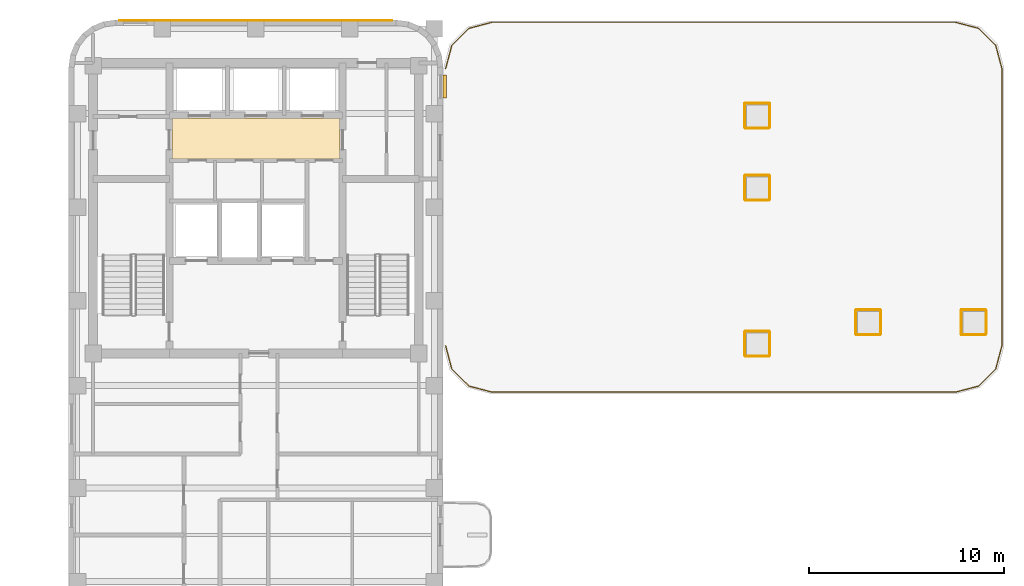
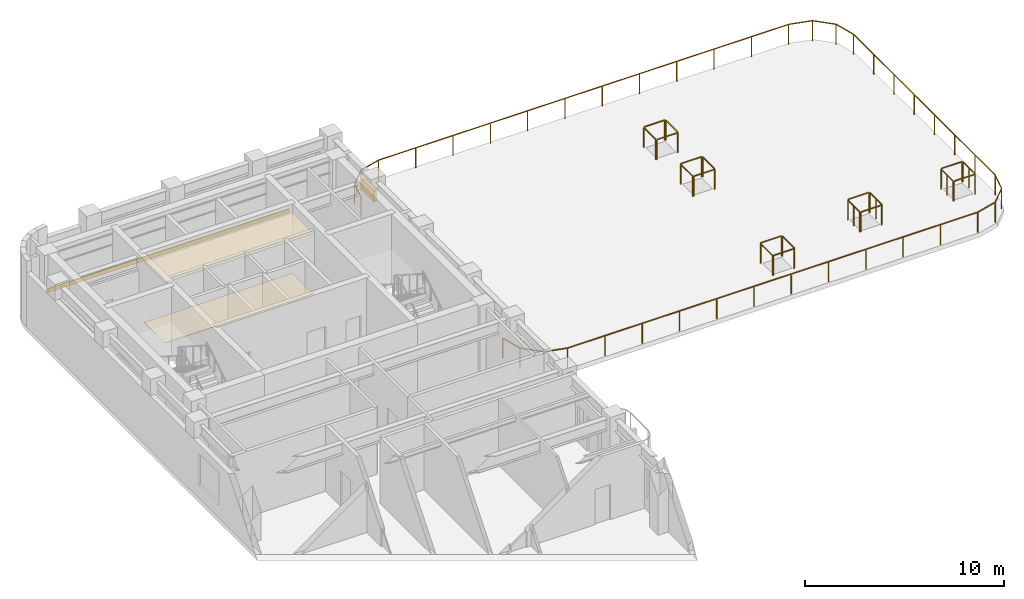
# One storey, part 7 of 7: 21 railings, 3 coverings, 1 shading device.
"""IFC4 building model written with IfcOpenShell, lengths in metres."""

import ifcopenshell
import ifcopenshell.guid

model = None  # the IFC model being written
_history = None  # IfcOwnerHistory: only IFC2X3 demands one
_inside = {}  # id of a spatial element -> (the spatial element, [elements in it])
_under = {}  # id of a project, library or spatial element -> (it, [spatial elements below it])
_declared = {}  # id of a project -> (the project, [libraries it declares])
_typed = {}  # id of a type object -> (the type object, [elements of that type])
_made_of = {}  # id of a material, layer set ... -> (it, [elements and type objects made of it])


def new_model(schema):
    """Start an empty IFC model of exactly this schema.

    Asked for "IFC4X3", IfcOpenShell would pick the latest addendum, in which some entities
    have other attributes; the version numbers below select the first issue.
    IFC2X3 requires an IfcOwnerHistory on every rooted entity: one is made here for all.
    """
    global model, _history
    if schema == "IFC4X3":
        model = ifcopenshell.file(schema_version=(4, 3, 0, 0))
    else:
        model = ifcopenshell.file(schema=schema)
    _inside.clear()
    _under.clear()
    _declared.clear()
    _typed.clear()
    _made_of.clear()
    _history = None
    if model.schema == "IFC2X3":
        org = make("IfcOrganization", Name="unknown")
        user = make(
            "IfcPersonAndOrganization",
            ThePerson=make("IfcPerson", FamilyName="unknown"),
            TheOrganization=org,
        )
        app = make(
            "IfcApplication",
            ApplicationDeveloper=org,
            Version="unknown",
            ApplicationFullName="unknown",
            ApplicationIdentifier="unknown",
        )
        _history = make(
            "IfcOwnerHistory",
            OwningUser=user,
            OwningApplication=app,
            ChangeAction="ADDED",
            CreationDate=0,
        )
    return model


def make(cls, **values):
    """One entity of the class cls with the attributes given. An attribute that is None is left unset."""
    return model.create_entity(
        cls, **{name: value for name, value in values.items() if value is not None}
    )


def rooted(cls, **values):
    """An entity with a GlobalId (a new one), such as an element, a storey or a relation."""
    return make(cls, GlobalId=ifcopenshell.guid.new(), OwnerHistory=_history, **values)


def si_unit(unit_type, name, prefix=None):
    """IfcSIUnit, for example si_unit("LENGTHUNIT", "METRE", prefix="MILLI")."""
    return make("IfcSIUnit", UnitType=unit_type, Prefix=prefix, Name=name)


def assignment(units):
    """IfcUnitAssignment: the units of a project."""
    return None if units is None else make("IfcUnitAssignment", Units=units)


def point(xyz):
    """IfcCartesianPoint."""
    return None if xyz is None else make("IfcCartesianPoint", Coordinates=xyz)


def direction(xyz):
    """IfcDirection."""
    return None if xyz is None else make("IfcDirection", DirectionRatios=xyz)


def frame(location, z_axis=None, x_axis=None):
    """IfcAxis2Placement3D, a coordinate frame: its origin and axes. An axis left out is left unset."""
    return make(
        "IfcAxis2Placement3D",
        Location=point(location),
        Axis=direction(z_axis),
        RefDirection=direction(x_axis),
    )


def frame_2d(location, x_axis=None):
    """IfcAxis2Placement2D, a coordinate frame in the plane: its origin and x axis."""
    return make(
        "IfcAxis2Placement2D", Location=point(location), RefDirection=direction(x_axis)
    )


def origin():
    """The frame at (0, 0, 0) with its axes left unset."""
    return frame((0.0, 0.0, 0.0))


def origin_2d():
    """The frame at (0, 0) in the plane with its x axis left unset."""
    return frame_2d((0.0, 0.0))


def place(relative_to, where):
    """IfcLocalPlacement: puts the frame where relative to a parent placement (None: the world)."""
    return make(
        "IfcLocalPlacement", PlacementRelTo=relative_to, RelativePlacement=where
    )


def context(
    kind, dimensions, precision=None, world=None, true_north=None, identifier=None
):
    """IfcGeometricRepresentationContext, for example the 3D "Model" context."""
    return make(
        "IfcGeometricRepresentationContext",
        ContextIdentifier=identifier,
        ContextType=kind,
        CoordinateSpaceDimension=dimensions,
        Precision=precision,
        WorldCoordinateSystem=world,
        TrueNorth=true_north,
    )


def subcontext(parent, identifier, kind, view, scale=None):
    """IfcGeometricRepresentationSubContext, for example "Body" below "Model"."""
    return make(
        "IfcGeometricRepresentationSubContext",
        ContextIdentifier=identifier,
        ContextType=kind,
        ParentContext=parent,
        TargetScale=scale,
        TargetView=view,
    )


def project(units=None, contexts=None):
    """IfcProject with its units and contexts."""
    return rooted(
        "IfcProject",
        Name="project",
        RepresentationContexts=contexts,
        UnitsInContext=assignment(units),
    )


def spatial(cls, under=None, at=None, **own):
    """A site, building, storey or space (cls), placed at a placement, below another one or the project."""
    s = rooted(cls, ObjectPlacement=at, **own)
    if under is not None:
        _under.setdefault(under.id(), (under, []))[1].append(s)
    return s


def polyline(points):
    """IfcPolyline through the points."""
    return make("IfcPolyline", Points=[point(p) for p in points])


def profile(cls, at=None, kind="AREA", **sizes):
    """A parametric profile (cls). Its sizes go by their IFC names, for example OverallWidth=200.0."""
    return make(cls, ProfileType=kind, Position=at, **sizes)


def rectangle(**sizes):
    """IfcRectangleProfileDef."""
    return profile("IfcRectangleProfileDef", **sizes)


def outline(outer, holes=None, kind="AREA"):
    """IfcArbitraryClosedProfileDef: a profile drawn as a closed curve; with holes, ...WithVoids."""
    if holes is None:
        return make("IfcArbitraryClosedProfileDef", ProfileType=kind, OuterCurve=outer)
    return make(
        "IfcArbitraryProfileDefWithVoids",
        ProfileType=kind,
        OuterCurve=outer,
        InnerCurves=holes,
    )


def extrude(swept, where, along, depth):
    """IfcExtrudedAreaSolid: the profile swept, set in the frame where, extruded along a direction by depth."""
    return make(
        "IfcExtrudedAreaSolid",
        SweptArea=swept,
        Position=where,
        ExtrudedDirection=direction(along),
        Depth=depth,
    )


def shape(context_of_items, identifier, shape_type, items):
    """IfcShapeRepresentation: the items that make up one representation, for example the "Body"."""
    return make(
        "IfcShapeRepresentation",
        ContextOfItems=context_of_items,
        RepresentationIdentifier=identifier,
        RepresentationType=shape_type,
        Items=items,
    )


def material(Name=None, Category=None):
    """IfcMaterial."""
    return make("IfcMaterial", Name=Name, Category=Category)


def layer(
    of_material, thickness, ventilated=None, Name=None, Category=None, Priority=None
):
    """IfcMaterialLayer: one layer of a wall or slab, of a material (None: an air gap)."""
    return make(
        "IfcMaterialLayer",
        Material=of_material,
        LayerThickness=thickness,
        IsVentilated=ventilated,
        Name=Name,
        Category=Category,
        Priority=Priority,
    )


def layer_set(layers, Name=None):
    """IfcMaterialLayerSet."""
    return make("IfcMaterialLayerSet", MaterialLayers=layers, LayerSetName=Name)


def made_of(thing, what):
    """Note that an element or type object is made of a material, layer set ...; save() writes the relation."""
    if what is not None:
        _made_of.setdefault(what.id(), (what, []))[1].append(thing)
    return thing


def type_object(cls, material=None, **own):
    """A type object (cls), such as IfcWallType, which elements share."""
    return made_of(rooted(cls, **own), material)


def element(
    cls,
    number,
    at=None,
    inside=None,
    cuts=None,
    type_object=None,
    material=None,
    context=None,
    identifier="Body",
    shape_type=None,
    held_by="IfcProductDefinitionShape",
    body=None,
    shapes=None,
    **own,
):
    """One element of the class cls, such as IfcWall. Its Tag is "e" and its number.

    at: its placement. inside: the storey or other place that contains it. cuts: it is an
    opening in that element (IfcRelVoidsElement). A single representation is given by context,
    identifier, shape_type and body (its items); several are given by shapes. held_by: the class
    of the entity that holds the representations. save() writes the other relations.
    """
    e = rooted(cls, Tag="e%d" % number, ObjectPlacement=at, **own)
    if body is not None:
        shapes = [shape(context, identifier, shape_type, body)]
    if shapes is not None:
        e.Representation = make(held_by, Representations=shapes)
    if inside is not None:
        _inside.setdefault(inside.id(), (inside, []))[1].append(e)
    if cuts is not None:
        rooted(
            "IfcRelVoidsElement", RelatingBuildingElement=cuts, RelatedOpeningElement=e
        )
    if type_object is not None:
        _typed.setdefault(type_object.id(), (type_object, []))[1].append(e)
    return made_of(e, material)


def aggregate(whole, parts):
    """IfcRelAggregates: a whole, such as a stair, and the parts it consists of."""
    return rooted("IfcRelAggregates", RelatingObject=whole, RelatedObjects=parts)


def save(model, path):
    """Write the relations noted so far, then the file.

    IfcRelAggregates (storeys below a building ...), IfcRelContainedInSpatialStructure (elements
    in a storey), IfcRelDefinesByType, IfcRelAssociatesMaterial and IfcRelDeclares: one each for
    every whole, place, type object, material and project.
    """
    for whole, parts in _under.values():
        aggregate(whole, parts)
    for where, things in _inside.values():
        rooted(
            "IfcRelContainedInSpatialStructure",
            RelatedElements=things,
            RelatingStructure=where,
        )
    for kind, things in _typed.values():
        rooted("IfcRelDefinesByType", RelatedObjects=things, RelatingType=kind)
    for what, things in _made_of.values():
        rooted("IfcRelAssociatesMaterial", RelatedObjects=things, RelatingMaterial=what)
    for by, libraries in _declared.values():
        rooted("IfcRelDeclares", RelatingContext=by, RelatedDefinitions=libraries)
    model.write(path)


model = new_model("IFC4")

# Units and contexts
model_context = context("Model", 3, precision=1e-05, world=origin(), true_north=direction((0.0, 1.0)))
body_context = subcontext(model_context, "Body", "Model", "MODEL_VIEW")
ifc_project = project(units=[si_unit("LENGTHUNIT", "METRE"), si_unit("AREAUNIT", "SQUARE_METRE"), si_unit("VOLUMEUNIT", "CUBIC_METRE"), si_unit("PLANEANGLEUNIT", "RADIAN"), si_unit("MASSUNIT", "GRAM", prefix="KILO")], contexts=[model_context])

# Site, building, storey
site_placement = place(None, origin())
site = spatial("IfcSite", under=ifc_project, at=site_placement, CompositionType="ELEMENT")
building_placement = place(site_placement, origin())
building = spatial("IfcBuilding", under=site, at=building_placement, Name="Orvandelia Arch Residences", CompositionType="ELEMENT")
storey_placement = place(building_placement, frame((0.0, 0.0, 239.800048828125)))
storey = spatial("IfcBuildingStorey", under=building, at=storey_placement, Name="L63", CompositionType="ELEMENT", Elevation=239.800048828125)

# Coverings
ifc_material_1 = material(Name="Perforated Acoustic Mineral-Fibre Ceiling")
ifc_layer_1 = layer(ifc_material_1, 0.02490234375, Name="Perforated Acoustic Mineral-Fibre Ceiling")
ifc_layer_set_1 = layer_set([ifc_layer_1], Name="Perforated Acoustic Mineral-Fibre Ceiling")
covering_type_1 = type_object("IfcCoveringType", Name="COV-CEIL-ACOUSTIC", PredefinedType="CEILING", material=ifc_layer_set_1)
covering_1_placement = place(storey_placement, frame((0.0, 0.0, 3.68994140625)))
element("IfcCovering", 1, at=covering_1_placement, inside=storey, type_object=covering_type_1, Name="Lift Hall Suspended Acoustic Ceiling L63", PredefinedType="CEILING", context=body_context, shape_type="SweptSolid", body=[
    extrude(outline(polyline([(10.10009765625, 40.8798828125), (18.699951171875, 40.8798828125), (18.699951171875, 42.97998046875), (10.10009765625, 42.97998046875), (10.10009765625, 40.8798828125)])), origin(), (0.0, 0.0, 1.0), 0.02490234375),
])
ifc_material_2 = material(Name="Engineered Oak Flooring")
ifc_layer_2 = layer(ifc_material_2, 0.02001953125, Name="Engineered Oak Flooring")
ifc_layer_set_2 = layer_set([ifc_layer_2], Name="Engineered Oak Flooring")
covering_type_2 = type_object("IfcCoveringType", Name="COV-FLOOR-TIMBER", PredefinedType="FLOORING", material=ifc_layer_set_2)
covering_2_placement = place(storey_placement, origin())
element("IfcCovering", 2, at=covering_2_placement, inside=storey, type_object=covering_type_2, Name="Lift Hall Finish Flooring L63", PredefinedType="FLOORING", context=body_context, shape_type="SweptSolid", body=[
    extrude(outline(polyline([(10.10009765625, 40.8798828125), (18.699951171875, 40.8798828125), (18.699951171875, 42.97998046875), (10.10009765625, 42.97998046875), (10.10009765625, 40.8798828125)])), origin(), (0.0, 0.0, 1.0), 0.02001953125),
])
ifc_material_3 = material(Name="Coral-Limestone Architectural Cladding", Category="masonry")
ifc_layer_3 = layer(ifc_material_3, 0.044921875, Name="Coral-Limestone Architectural Cladding", Category="masonry")
ifc_layer_set_3 = layer_set([ifc_layer_3], Name="Coral-Limestone Architectural Cladding")
covering_type_3 = type_object("IfcCoveringType", Name="COV-STONE-CLAD", PredefinedType="CLADDING", material=ifc_layer_set_3)
covering_3_placement = place(storey_placement, frame((14.39990234375, 47.97509765625, -0.240234375), z_axis=(0.0, 0.0, 1.0), x_axis=(1.0, 0.0, 0.0)))
element("IfcCovering", 3, at=covering_3_placement, inside=storey, type_object=covering_type_3, Name="Coral-Limestone Slab-Edge Cladding Band L63", PredefinedType="CLADDING", context=body_context, shape_type="SweptSolid", body=[
    extrude(rectangle(XDim=14.0, YDim=0.044921875, at=origin_2d()), origin(), (0.0, 0.0, 1.0), 0.239990234375),
])

# Railings
ifc_material_4 = material(Name="Marine-Grade Stainless Steel 316", Category="steel")
railing_type = type_object("IfcRailingType", Name="GRD-TERR-1250", PredefinedType="GUARDRAIL", material=ifc_material_4)
for number, where, name in (
    (4, (39.5, 30.760009765625, 0.0), "Terrace Skylight Safety Balustrade SK1-1-S"),
    (5, (39.5, 32.0400390625, 0.0), "Terrace Skylight Safety Balustrade SK1-1-N"),
):
    element("IfcRailing", number, at=place(storey_placement, frame(where)), inside=storey, type_object=railing_type, Name=name, PredefinedType="GUARDRAIL", context=body_context, shape_type="SweptSolid", body=[
        extrude(rectangle(XDim=0.048095703125, YDim=0.048095703125, at=origin_2d()), frame((0.0, 0.0, 1.22607421875), z_axis=(1.0, 0.0, 0.0), x_axis=(0.0, 1.0, 0.0)), (0.0, 0.0, 1.0), 1.199951171875),
        extrude(rectangle(XDim=0.0419921875, YDim=0.0419921875, at=origin_2d()), origin(), (0.0, 0.0, 1.0), 1.201904296875),
        extrude(rectangle(XDim=0.0419921875, YDim=0.0419921875, at=origin_2d()), frame((1.199951171875, 0.0, 0.0)), (0.0, 0.0, 1.0), 1.201904296875),
    ])
for number, where, name in (
    (6, (39.4599609375, 30.800048828125, 0.0), "Terrace Skylight Safety Balustrade SK1-1-W"),
    (7, (40.739990234375, 30.800048828125, 0.0), "Terrace Skylight Safety Balustrade SK1-1-E"),
):
    element("IfcRailing", number, at=place(storey_placement, frame(where)), inside=storey, type_object=railing_type, Name=name, PredefinedType="GUARDRAIL", context=body_context, shape_type="SweptSolid", body=[
        extrude(rectangle(XDim=0.048095703125, YDim=0.048095703125, at=origin_2d()), frame((0.0, 0.0, 1.22607421875), z_axis=(0.0, 1.0, 0.0), x_axis=(-1.0, 0.0, 0.0)), (0.0, 0.0, 1.0), 1.199951171875),
        extrude(rectangle(XDim=0.0419921875, YDim=0.0419921875, at=origin_2d()), origin(), (0.0, 0.0, 1.0), 1.201904296875),
        extrude(rectangle(XDim=0.0419921875, YDim=0.0419921875, at=origin_2d()), frame((0.0, 1.199951171875, 0.0)), (0.0, 0.0, 1.0), 1.201904296875),
    ])
for number, where, name in (
    (8, (39.5, 38.760009765625, 0.0), "Terrace Skylight Safety Balustrade SK1-2-S"),
    (9, (39.5, 40.0400390625, 0.0), "Terrace Skylight Safety Balustrade SK1-2-N"),
):
    element("IfcRailing", number, at=place(storey_placement, frame(where)), inside=storey, type_object=railing_type, Name=name, PredefinedType="GUARDRAIL", context=body_context, shape_type="SweptSolid", body=[
        extrude(rectangle(XDim=0.048095703125, YDim=0.048095703125, at=origin_2d()), frame((0.0, 0.0, 1.22607421875), z_axis=(1.0, 0.0, 0.0), x_axis=(0.0, 1.0, 0.0)), (0.0, 0.0, 1.0), 1.199951171875),
        extrude(rectangle(XDim=0.0419921875, YDim=0.0419921875, at=origin_2d()), origin(), (0.0, 0.0, 1.0), 1.201904296875),
        extrude(rectangle(XDim=0.0419921875, YDim=0.0419921875, at=origin_2d()), frame((1.199951171875, 0.0, 0.0)), (0.0, 0.0, 1.0), 1.201904296875),
    ])
for number, where, name in (
    (10, (39.4599609375, 38.800048828125, 0.0), "Terrace Skylight Safety Balustrade SK1-2-W"),
    (11, (40.739990234375, 38.800048828125, 0.0), "Terrace Skylight Safety Balustrade SK1-2-E"),
):
    element("IfcRailing", number, at=place(storey_placement, frame(where)), inside=storey, type_object=railing_type, Name=name, PredefinedType="GUARDRAIL", context=body_context, shape_type="SweptSolid", body=[
        extrude(rectangle(XDim=0.048095703125, YDim=0.048095703125, at=origin_2d()), frame((0.0, 0.0, 1.22607421875), z_axis=(0.0, 1.0, 0.0), x_axis=(-1.0, 0.0, 0.0)), (0.0, 0.0, 1.0), 1.199951171875),
        extrude(rectangle(XDim=0.0419921875, YDim=0.0419921875, at=origin_2d()), origin(), (0.0, 0.0, 1.0), 1.201904296875),
        extrude(rectangle(XDim=0.0419921875, YDim=0.0419921875, at=origin_2d()), frame((0.0, 1.199951171875, 0.0)), (0.0, 0.0, 1.0), 1.201904296875),
    ])
for number, where, name in (
    (12, (39.5, 42.4599609375, 0.0), "Terrace Skylight Safety Balustrade SK1-3-S"),
    (13, (39.5, 43.739990234375, 0.0), "Terrace Skylight Safety Balustrade SK1-3-N"),
):
    element("IfcRailing", number, at=place(storey_placement, frame(where)), inside=storey, type_object=railing_type, Name=name, PredefinedType="GUARDRAIL", context=body_context, shape_type="SweptSolid", body=[
        extrude(rectangle(XDim=0.048095703125, YDim=0.048095703125, at=origin_2d()), frame((0.0, 0.0, 1.22607421875), z_axis=(1.0, 0.0, 0.0), x_axis=(0.0, 1.0, 0.0)), (0.0, 0.0, 1.0), 1.199951171875),
        extrude(rectangle(XDim=0.0419921875, YDim=0.0419921875, at=origin_2d()), origin(), (0.0, 0.0, 1.0), 1.201904296875),
        extrude(rectangle(XDim=0.0419921875, YDim=0.0419921875, at=origin_2d()), frame((1.199951171875, 0.0, 0.0)), (0.0, 0.0, 1.0), 1.201904296875),
    ])
for number, where, name in (
    (14, (39.4599609375, 42.5, 0.0), "Terrace Skylight Safety Balustrade SK1-3-W"),
    (15, (40.739990234375, 42.5, 0.0), "Terrace Skylight Safety Balustrade SK1-3-E"),
):
    element("IfcRailing", number, at=place(storey_placement, frame(where)), inside=storey, type_object=railing_type, Name=name, PredefinedType="GUARDRAIL", context=body_context, shape_type="SweptSolid", body=[
        extrude(rectangle(XDim=0.048095703125, YDim=0.048095703125, at=origin_2d()), frame((0.0, 0.0, 1.22607421875), z_axis=(0.0, 1.0, 0.0), x_axis=(-1.0, 0.0, 0.0)), (0.0, 0.0, 1.0), 1.199951171875),
        extrude(rectangle(XDim=0.0419921875, YDim=0.0419921875, at=origin_2d()), origin(), (0.0, 0.0, 1.0), 1.201904296875),
        extrude(rectangle(XDim=0.0419921875, YDim=0.0419921875, at=origin_2d()), frame((0.0, 1.199951171875, 0.0)), (0.0, 0.0, 1.0), 1.201904296875),
    ])
for number, where, name in (
    (16, (45.199951171875, 31.860107421875, 0.0), "Terrace Skylight Safety Balustrade SK1-4-S"),
    (17, (45.199951171875, 33.139892578125, 0.0), "Terrace Skylight Safety Balustrade SK1-4-N"),
):
    element("IfcRailing", number, at=place(storey_placement, frame(where)), inside=storey, type_object=railing_type, Name=name, PredefinedType="GUARDRAIL", context=body_context, shape_type="SweptSolid", body=[
        extrude(rectangle(XDim=0.048095703125, YDim=0.048095703125, at=origin_2d()), frame((0.0, 0.0, 1.22607421875), z_axis=(1.0, 0.0, 0.0), x_axis=(0.0, 1.0, 0.0)), (0.0, 0.0, 1.0), 1.199951171875),
        extrude(rectangle(XDim=0.0419921875, YDim=0.0419921875, at=origin_2d()), origin(), (0.0, 0.0, 1.0), 1.201904296875),
        extrude(rectangle(XDim=0.0419921875, YDim=0.0419921875, at=origin_2d()), frame((1.199951171875, 0.0, 0.0)), (0.0, 0.0, 1.0), 1.201904296875),
    ])
for number, where, name in (
    (18, (45.159912109375, 31.89990234375, 0.0), "Terrace Skylight Safety Balustrade SK1-4-W"),
    (19, (46.43994140625, 31.89990234375, 0.0), "Terrace Skylight Safety Balustrade SK1-4-E"),
):
    element("IfcRailing", number, at=place(storey_placement, frame(where)), inside=storey, type_object=railing_type, Name=name, PredefinedType="GUARDRAIL", context=body_context, shape_type="SweptSolid", body=[
        extrude(rectangle(XDim=0.048095703125, YDim=0.048095703125, at=origin_2d()), frame((0.0, 0.0, 1.22607421875), z_axis=(0.0, 1.0, 0.0), x_axis=(-1.0, 0.0, 0.0)), (0.0, 0.0, 1.0), 1.2001953125),
        extrude(rectangle(XDim=0.0419921875, YDim=0.0419921875, at=origin_2d()), origin(), (0.0, 0.0, 1.0), 1.201904296875),
        extrude(rectangle(XDim=0.0419921875, YDim=0.0419921875, at=origin_2d()), frame((0.0, 0.60009765625, 0.0)), (0.0, 0.0, 1.0), 1.201904296875),
        extrude(rectangle(XDim=0.0419921875, YDim=0.0419921875, at=origin_2d()), frame((0.0, 1.2001953125, 0.0)), (0.0, 0.0, 1.0), 1.201904296875),
    ])
for number, where, name in (
    (20, (50.60009765625, 31.860107421875, 0.0), "Terrace Skylight Safety Balustrade SK1-5-S"),
    (21, (50.60009765625, 33.139892578125, 0.0), "Terrace Skylight Safety Balustrade SK1-5-N"),
):
    element("IfcRailing", number, at=place(storey_placement, frame(where)), inside=storey, type_object=railing_type, Name=name, PredefinedType="GUARDRAIL", context=body_context, shape_type="SweptSolid", body=[
        extrude(rectangle(XDim=0.048095703125, YDim=0.048095703125, at=origin_2d()), frame((0.0, 0.0, 1.22607421875), z_axis=(1.0, 0.0, 0.0), x_axis=(0.0, 1.0, 0.0)), (0.0, 0.0, 1.0), 1.199951171875),
        extrude(rectangle(XDim=0.0419921875, YDim=0.0419921875, at=origin_2d()), origin(), (0.0, 0.0, 1.0), 1.201904296875),
        extrude(rectangle(XDim=0.0419921875, YDim=0.0419921875, at=origin_2d()), frame((1.199951171875, 0.0, 0.0)), (0.0, 0.0, 1.0), 1.201904296875),
    ])
for number, where, name in (
    (22, (50.56005859375, 31.89990234375, 0.0), "Terrace Skylight Safety Balustrade SK1-5-W"),
    (23, (51.840087890625, 31.89990234375, 0.0), "Terrace Skylight Safety Balustrade SK1-5-E"),
):
    element("IfcRailing", number, at=place(storey_placement, frame(where)), inside=storey, type_object=railing_type, Name=name, PredefinedType="GUARDRAIL", context=body_context, shape_type="SweptSolid", body=[
        extrude(rectangle(XDim=0.048095703125, YDim=0.048095703125, at=origin_2d()), frame((0.0, 0.0, 1.22607421875), z_axis=(0.0, 1.0, 0.0), x_axis=(-1.0, 0.0, 0.0)), (0.0, 0.0, 1.0), 1.2001953125),
        extrude(rectangle(XDim=0.0419921875, YDim=0.0419921875, at=origin_2d()), origin(), (0.0, 0.0, 1.0), 1.201904296875),
        extrude(rectangle(XDim=0.0419921875, YDim=0.0419921875, at=origin_2d()), frame((0.0, 0.60009765625, 0.0)), (0.0, 0.0, 1.0), 1.201904296875),
        extrude(rectangle(XDim=0.0419921875, YDim=0.0419921875, at=origin_2d()), frame((0.0, 1.2001953125, 0.0)), (0.0, 0.0, 1.0), 1.201904296875),
    ])
railing_placement = place(storey_placement, frame((24.12744140625, 31.29345703125, 0.0)))
element("IfcRailing", 24, at=railing_placement, inside=storey, type_object=railing_type, Name="Safety Balustrade Guard GRD-L63-TERR-L63-EASTWING-1", PredefinedType="GUARDRAIL", context=body_context, shape_type="SweptSolid", body=[
    extrude(rectangle(XDim=0.048095703125, YDim=0.048095703125, at=origin_2d()), frame((0.0, 0.0, 1.22607421875), z_axis=(0.25708365919, -0.966389151521, 0.0), x_axis=(0.966389151521, 0.25708365919, 0.0)), (0.0, 0.0, 1.0), 1.233642578125),
    extrude(rectangle(XDim=0.048095703125, YDim=0.048095703125, at=origin_2d()), frame((0.317138671875, -1.192138671875, 1.22607421875), z_axis=(0.708194559771, -0.706017326636, 0.0), x_axis=(0.706017326636, 0.708194559771, 0.0)), (0.0, 0.0, 1.0), 1.2333984375),
    extrude(rectangle(XDim=0.048095703125, YDim=0.048095703125, at=origin_2d()), frame((1.190673828125, -2.06298828125, 1.22607421875), z_axis=(0.966877356765, -0.255241409207, 0.0), x_axis=(0.255241409207, 0.966877356765, 0.0)), (0.0, 0.0, 1.0), 1.23681640625),
    extrude(rectangle(XDim=0.048095703125, YDim=0.048095703125, at=origin_2d()), frame((2.386474609375, -2.378662109375, 1.22607421875), z_axis=(1.0, 0.0, 0.0), x_axis=(0.0, 1.0, 0.0)), (0.0, 0.0, 1.0), 23.752197265625),
    extrude(rectangle(XDim=0.048095703125, YDim=0.048095703125, at=origin_2d()), frame((26.138671875, -2.378662109375, 1.22607421875), z_axis=(0.966877356765, 0.255241409207, 0.0), x_axis=(-0.255241409207, 0.966877356765, 0.0)), (0.0, 0.0, 1.0), 1.23681640625),
    extrude(rectangle(XDim=0.048095703125, YDim=0.048095703125, at=origin_2d()), frame((27.33447265625, -2.06298828125, 1.22607421875), z_axis=(0.708194559771, 0.706017326636, 0.0), x_axis=(-0.706017326636, 0.708194559771, 0.0)), (0.0, 0.0, 1.0), 1.2333984375),
    extrude(rectangle(XDim=0.048095703125, YDim=0.048095703125, at=origin_2d()), frame((28.2080078125, -1.192138671875, 1.22607421875), z_axis=(0.25708365919, 0.966389151521, 0.0), x_axis=(-0.966389151521, 0.25708365919, 0.0)), (0.0, 0.0, 1.0), 1.233642578125),
    extrude(rectangle(XDim=0.048095703125, YDim=0.048095703125, at=origin_2d()), frame((28.525146484375, 0.0, 1.22607421875), z_axis=(0.0, 1.0, 0.0), x_axis=(-1.0, 0.0, 0.0)), (0.0, 0.0, 1.0), 14.213134765625),
    extrude(rectangle(XDim=0.048095703125, YDim=0.048095703125, at=origin_2d()), frame((28.525146484375, 14.213134765625, 1.22607421875), z_axis=(-0.257132837316, 0.966376067571, 0.0), x_axis=(-0.966376067571, -0.257132837316, 0.0)), (0.0, 0.0, 1.0), 1.2333984375),
    extrude(rectangle(XDim=0.048095703125, YDim=0.048095703125, at=origin_2d()), frame((28.2080078125, 15.405029296875, 1.22607421875), z_axis=(-0.708095601971, 0.706116575694, 0.0), x_axis=(-0.706116575694, -0.708095601971, 0.0)), (0.0, 0.0, 1.0), 1.233642578125),
    extrude(rectangle(XDim=0.048095703125, YDim=0.048095703125, at=origin_2d()), frame((27.33447265625, 16.276123046875, 1.22607421875), z_axis=(-0.966926058, 0.255056853192, 0.0), x_axis=(-0.255056853192, -0.966926058, 0.0)), (0.0, 0.0, 1.0), 1.23681640625),
    extrude(rectangle(XDim=0.048095703125, YDim=0.048095703125, at=origin_2d()), frame((26.138671875, 16.591552734375, 1.22607421875), z_axis=(-1.0, 0.0, 0.0), x_axis=(0.0, -1.0, 0.0)), (0.0, 0.0, 1.0), 23.752197265625),
    extrude(rectangle(XDim=0.048095703125, YDim=0.048095703125, at=origin_2d()), frame((2.386474609375, 16.591552734375, 1.22607421875), z_axis=(-0.966926058, -0.255056853192, 0.0), x_axis=(0.255056853192, -0.966926058, 0.0)), (0.0, 0.0, 1.0), 1.23681640625),
    extrude(rectangle(XDim=0.048095703125, YDim=0.048095703125, at=origin_2d()), frame((1.190673828125, 16.276123046875, 1.22607421875), z_axis=(-0.708095601971, -0.706116575694, 0.0), x_axis=(0.706116575694, -0.708095601971, 0.0)), (0.0, 0.0, 1.0), 1.233642578125),
    extrude(rectangle(XDim=0.048095703125, YDim=0.048095703125, at=origin_2d()), frame((0.317138671875, 15.405029296875, 1.22607421875), z_axis=(-0.257132837316, -0.966376067571, 0.0), x_axis=(0.966376067571, -0.257132837316, 0.0)), (0.0, 0.0, 1.0), 1.2333984375),
    extrude(rectangle(XDim=0.0419921875, YDim=0.0419921875, at=origin_2d()), origin(), (0.0, 0.0, 1.0), 1.201904296875),
    extrude(rectangle(XDim=0.0419921875, YDim=0.0419921875, at=origin_2d()), frame((0.317138671875, -1.192138671875, 0.0)), (0.0, 0.0, 1.0), 1.201904296875),
    extrude(rectangle(XDim=0.0419921875, YDim=0.0419921875, at=origin_2d()), frame((1.190673828125, -2.06298828125, 0.0)), (0.0, 0.0, 1.0), 1.201904296875),
    extrude(rectangle(XDim=0.0419921875, YDim=0.0419921875, at=origin_2d()), frame((2.386474609375, -2.378662109375, 0.0)), (0.0, 0.0, 1.0), 1.201904296875),
    extrude(rectangle(XDim=0.0419921875, YDim=0.0419921875, at=origin_2d()), frame((4.545654296875, -2.378662109375, 0.0)), (0.0, 0.0, 1.0), 1.201904296875),
    extrude(rectangle(XDim=0.0419921875, YDim=0.0419921875, at=origin_2d()), frame((6.705078125, -2.378662109375, 0.0)), (0.0, 0.0, 1.0), 1.201904296875),
    extrude(rectangle(XDim=0.0419921875, YDim=0.0419921875, at=origin_2d()), frame((8.8642578125, -2.378662109375, 0.0)), (0.0, 0.0, 1.0), 1.201904296875),
    extrude(rectangle(XDim=0.0419921875, YDim=0.0419921875, at=origin_2d()), frame((11.023681640625, -2.378662109375, 0.0)), (0.0, 0.0, 1.0), 1.201904296875),
    extrude(rectangle(XDim=0.0419921875, YDim=0.0419921875, at=origin_2d()), frame((13.182861328125, -2.378662109375, 0.0)), (0.0, 0.0, 1.0), 1.201904296875),
    extrude(rectangle(XDim=0.0419921875, YDim=0.0419921875, at=origin_2d()), frame((15.34228515625, -2.378662109375, 0.0)), (0.0, 0.0, 1.0), 1.201904296875),
    extrude(rectangle(XDim=0.0419921875, YDim=0.0419921875, at=origin_2d()), frame((17.50146484375, -2.378662109375, 0.0)), (0.0, 0.0, 1.0), 1.201904296875),
    extrude(rectangle(XDim=0.0419921875, YDim=0.0419921875, at=origin_2d()), frame((19.660888671875, -2.378662109375, 0.0)), (0.0, 0.0, 1.0), 1.201904296875),
    extrude(rectangle(XDim=0.0419921875, YDim=0.0419921875, at=origin_2d()), frame((21.820068359375, -2.378662109375, 0.0)), (0.0, 0.0, 1.0), 1.201904296875),
    extrude(rectangle(XDim=0.0419921875, YDim=0.0419921875, at=origin_2d()), frame((23.9794921875, -2.378662109375, 0.0)), (0.0, 0.0, 1.0), 1.201904296875),
    extrude(rectangle(XDim=0.0419921875, YDim=0.0419921875, at=origin_2d()), frame((26.138671875, -2.378662109375, 0.0)), (0.0, 0.0, 1.0), 1.201904296875),
    extrude(rectangle(XDim=0.0419921875, YDim=0.0419921875, at=origin_2d()), frame((27.33447265625, -2.06298828125, 0.0)), (0.0, 0.0, 1.0), 1.201904296875),
    extrude(rectangle(XDim=0.0419921875, YDim=0.0419921875, at=origin_2d()), frame((28.2080078125, -1.192138671875, 0.0)), (0.0, 0.0, 1.0), 1.201904296875),
    extrude(rectangle(XDim=0.0419921875, YDim=0.0419921875, at=origin_2d()), frame((28.525146484375, 0.0, 0.0)), (0.0, 0.0, 1.0), 1.201904296875),
    extrude(rectangle(XDim=0.0419921875, YDim=0.0419921875, at=origin_2d()), frame((28.525146484375, 2.030517578125, 0.0)), (0.0, 0.0, 1.0), 1.201904296875),
    extrude(rectangle(XDim=0.0419921875, YDim=0.0419921875, at=origin_2d()), frame((28.525146484375, 4.060791015625, 0.0)), (0.0, 0.0, 1.0), 1.201904296875),
    extrude(rectangle(XDim=0.0419921875, YDim=0.0419921875, at=origin_2d()), frame((28.525146484375, 6.09130859375, 0.0)), (0.0, 0.0, 1.0), 1.201904296875),
    extrude(rectangle(XDim=0.0419921875, YDim=0.0419921875, at=origin_2d()), frame((28.525146484375, 8.121826171875, 0.0)), (0.0, 0.0, 1.0), 1.201904296875),
    extrude(rectangle(XDim=0.0419921875, YDim=0.0419921875, at=origin_2d()), frame((28.525146484375, 10.15234375, 0.0)), (0.0, 0.0, 1.0), 1.201904296875),
    extrude(rectangle(XDim=0.0419921875, YDim=0.0419921875, at=origin_2d()), frame((28.525146484375, 12.1826171875, 0.0)), (0.0, 0.0, 1.0), 1.201904296875),
    extrude(rectangle(XDim=0.0419921875, YDim=0.0419921875, at=origin_2d()), frame((28.525146484375, 14.213134765625, 0.0)), (0.0, 0.0, 1.0), 1.201904296875),
    extrude(rectangle(XDim=0.0419921875, YDim=0.0419921875, at=origin_2d()), frame((28.2080078125, 15.405029296875, 0.0)), (0.0, 0.0, 1.0), 1.201904296875),
    extrude(rectangle(XDim=0.0419921875, YDim=0.0419921875, at=origin_2d()), frame((27.33447265625, 16.276123046875, 0.0)), (0.0, 0.0, 1.0), 1.201904296875),
    extrude(rectangle(XDim=0.0419921875, YDim=0.0419921875, at=origin_2d()), frame((26.138671875, 16.591552734375, 0.0)), (0.0, 0.0, 1.0), 1.201904296875),
    extrude(rectangle(XDim=0.0419921875, YDim=0.0419921875, at=origin_2d()), frame((23.9794921875, 16.591552734375, 0.0)), (0.0, 0.0, 1.0), 1.201904296875),
    extrude(rectangle(XDim=0.0419921875, YDim=0.0419921875, at=origin_2d()), frame((21.820068359375, 16.591552734375, 0.0)), (0.0, 0.0, 1.0), 1.201904296875),
    extrude(rectangle(XDim=0.0419921875, YDim=0.0419921875, at=origin_2d()), frame((19.660888671875, 16.591552734375, 0.0)), (0.0, 0.0, 1.0), 1.201904296875),
    extrude(rectangle(XDim=0.0419921875, YDim=0.0419921875, at=origin_2d()), frame((17.50146484375, 16.591552734375, 0.0)), (0.0, 0.0, 1.0), 1.201904296875),
    extrude(rectangle(XDim=0.0419921875, YDim=0.0419921875, at=origin_2d()), frame((15.34228515625, 16.591552734375, 0.0)), (0.0, 0.0, 1.0), 1.201904296875),
    extrude(rectangle(XDim=0.0419921875, YDim=0.0419921875, at=origin_2d()), frame((13.182861328125, 16.591552734375, 0.0)), (0.0, 0.0, 1.0), 1.201904296875),
    extrude(rectangle(XDim=0.0419921875, YDim=0.0419921875, at=origin_2d()), frame((11.023681640625, 16.591552734375, 0.0)), (0.0, 0.0, 1.0), 1.201904296875),
    extrude(rectangle(XDim=0.0419921875, YDim=0.0419921875, at=origin_2d()), frame((8.8642578125, 16.591552734375, 0.0)), (0.0, 0.0, 1.0), 1.201904296875),
    extrude(rectangle(XDim=0.0419921875, YDim=0.0419921875, at=origin_2d()), frame((6.705078125, 16.591552734375, 0.0)), (0.0, 0.0, 1.0), 1.201904296875),
    extrude(rectangle(XDim=0.0419921875, YDim=0.0419921875, at=origin_2d()), frame((4.545654296875, 16.591552734375, 0.0)), (0.0, 0.0, 1.0), 1.201904296875),
    extrude(rectangle(XDim=0.0419921875, YDim=0.0419921875, at=origin_2d()), frame((2.386474609375, 16.591552734375, 0.0)), (0.0, 0.0, 1.0), 1.201904296875),
    extrude(rectangle(XDim=0.0419921875, YDim=0.0419921875, at=origin_2d()), frame((1.190673828125, 16.276123046875, 0.0)), (0.0, 0.0, 1.0), 1.201904296875),
    extrude(rectangle(XDim=0.0419921875, YDim=0.0419921875, at=origin_2d()), frame((0.317138671875, 15.405029296875, 0.0)), (0.0, 0.0, 1.0), 1.201904296875),
    extrude(rectangle(XDim=0.0419921875, YDim=0.0419921875, at=origin_2d()), frame((0.0, 14.213134765625, 0.0)), (0.0, 0.0, 1.0), 1.201904296875),
])

# Shading device
ifc_material_5 = material(Name="Anodised Champagne-Bronze Extruded Aluminium", Category="aluminium")
shading_device_type = type_object("IfcShadingDeviceType", Name="SHD-JALOUSIE-SCREEN", PredefinedType="JALOUSIE", material=ifc_material_5)
shading_device_placement = place(storey_placement, frame((24.080078125, 44.592529296875, 1.89990234375), z_axis=(0.0, 0.0, 1.0), x_axis=(0.0, -1.0, 0.0)))
element("IfcShadingDevice", 25, at=shading_device_placement, inside=storey, type_object=shading_device_type, Name="Bronze Jalousie Sun-Shade L63-001", PredefinedType="JALOUSIE", context=body_context, shape_type="SweptSolid", body=[
    extrude(rectangle(XDim=1.199951171875, YDim=0.159912109375, at=origin_2d()), origin(), (0.0, 0.0, 1.0), 0.699951171875),
])

save(model, "model.ifc")
